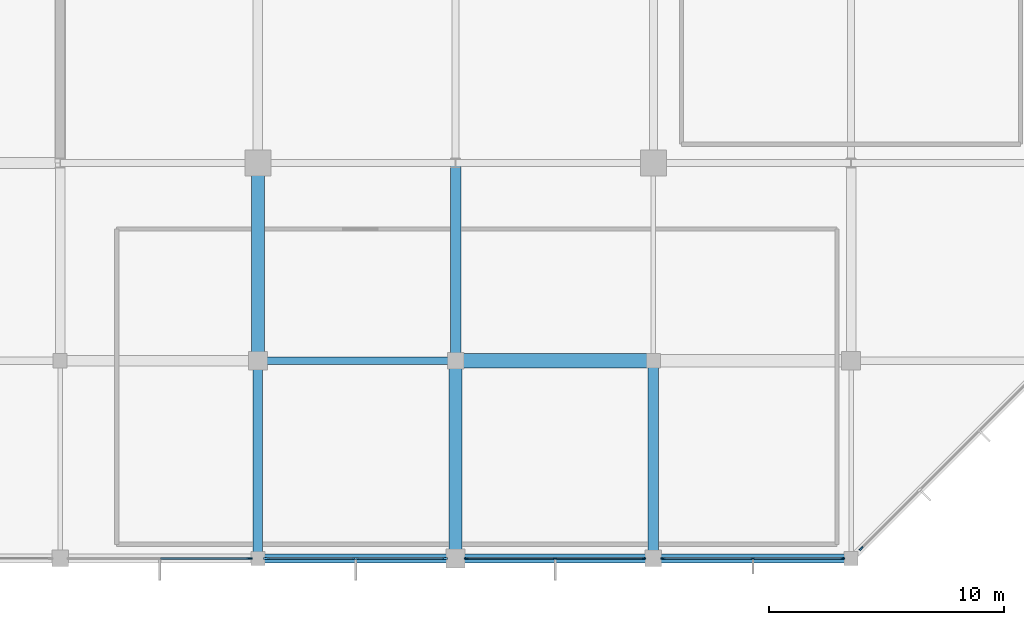
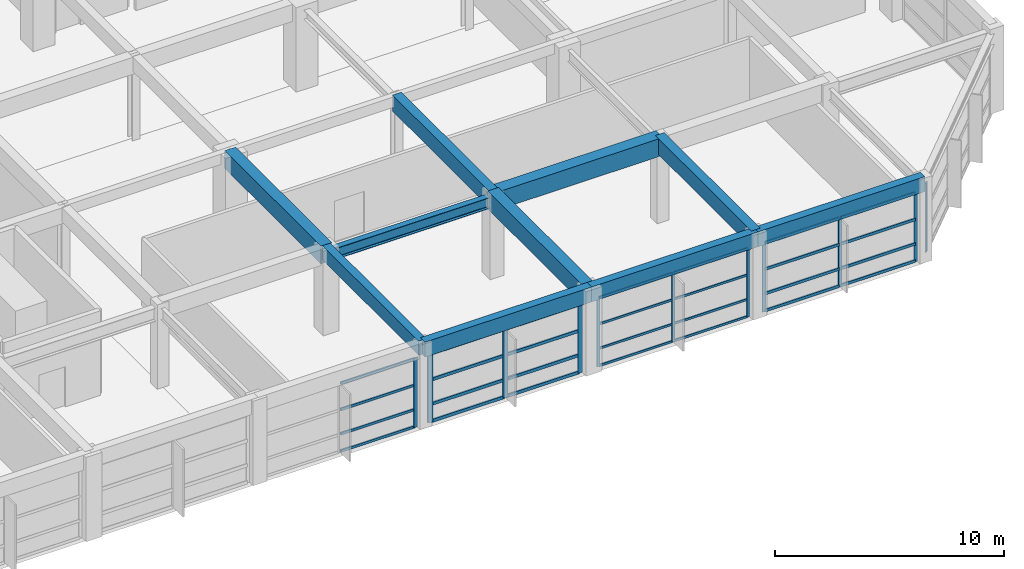
# One storey, part 27 of 56: 39 members, 10 beams, 5 elements without a shape of their own.
"""IFC4 building model written with IfcOpenShell, lengths in metres."""

from ifc_helpers import new_model, si_unit, direction, frame, origin, origin_2d, place, context, subcontext, project, spatial, rectangle, i_section, extrude, material, material_profile, profile_set, type_object, element, aggregate, save


model = new_model("IFC4")

# Units and contexts
model_context = context("Model", 3, precision=1e-05, world=origin(), true_north=direction((0.0, 1.0)))
body_context = subcontext(model_context, "Body", "Model", "MODEL_VIEW")
ifc_project = project(units=[si_unit("LENGTHUNIT", "METRE"), si_unit("AREAUNIT", "SQUARE_METRE"), si_unit("VOLUMEUNIT", "CUBIC_METRE"), si_unit("PLANEANGLEUNIT", "RADIAN"), si_unit("MASSUNIT", "GRAM", prefix="KILO")], contexts=[model_context])

# Site, building, storey
site_placement = place(None, origin())
site = spatial("IfcSite", under=ifc_project, at=site_placement, CompositionType="ELEMENT")
building_placement = place(site_placement, origin())
building = spatial("IfcBuilding", under=site, at=building_placement, Name="Xuanlan Plaza Opera House", CompositionType="ELEMENT")
storey_placement = place(building_placement, frame((0.0, 0.0, 18.89990234375)))
storey = spatial("IfcBuildingStorey", under=building, at=storey_placement, Name="L04", CompositionType="ELEMENT", Elevation=18.89990234375)

# Curtain wall, members
ifc_material_1 = material(Name="Anodised Aluminium 6063-T6 and Low-E Glass", Category="aluminium")
curtain_wall_type_1 = type_object("IfcCurtainWallType", Name="ENV-CW-CW-01", PredefinedType="USERDEFINED", material=ifc_material_1)
curtain_wall_1_placement = place(storey_placement, origin())
curtain_wall_1 = element("IfcCurtainWall", 1, at=curtain_wall_1_placement, inside=storey, type_object=curtain_wall_type_1, Name="Unitised Curtain Wall L04-015", ObjectType="UNITISED CURTAIN WALL", PredefinedType="USERDEFINED")
ifc_material_2 = material(Name="Anodised Aluminium 6063-T6", Category="aluminium")
ifc_material_profile_1 = material_profile(ifc_material_2, rectangle(XDim=0.06494140625, YDim=0.159912109375, at=origin_2d()), Name="ALU-M 65x160")
ifc_profile_set_1 = profile_set([ifc_material_profile_1], Name="Anodised Aluminium 6063-T6")
member_type_1 = type_object("IfcMemberType", Name="ENV-CWM-01", PredefinedType="MULLION", material=ifc_profile_set_1)
member_1_placement = place(storey_placement, frame((143.25244140625, 16.800048828125, 0.0), z_axis=(0.0, 0.0, 1.0), x_axis=(0.0, 1.0, 0.0)))
member_1 = element("IfcMember", 2, at=member_1_placement, type_object=member_type_1, Name="CW-01 mullion 1", PredefinedType="MULLION", context=body_context, shape_type="SweptSolid", body=[
    extrude(rectangle(XDim=0.06494140625, YDim=0.159912109375, at=origin_2d()), origin(), (0.0, 0.0, 1.0), 3.68017578125),
])
member_2_placement = place(storey_placement, frame((147.02490234375, 16.800048828125, 0.0), z_axis=(0.0, 0.0, 1.0), x_axis=(0.0, 1.0, 0.0)))
member_2 = element("IfcMember", 3, at=member_2_placement, type_object=member_type_1, Name="CW-01 mullion 2", PredefinedType="MULLION", context=body_context, shape_type="SweptSolid", body=[
    extrude(rectangle(XDim=0.06494140625, YDim=0.159912109375, at=origin_2d()), origin(), (0.0, 0.0, 1.0), 3.68017578125),
])
member_3_placement = place(storey_placement, frame((150.797607421875, 16.800048828125, 0.0), z_axis=(0.0, 0.0, 1.0), x_axis=(0.0, 1.0, 0.0)))
member_3 = element("IfcMember", 4, at=member_3_placement, type_object=member_type_1, Name="CW-01 mullion 3", PredefinedType="MULLION", context=body_context, shape_type="SweptSolid", body=[
    extrude(rectangle(XDim=0.06494140625, YDim=0.159912109375, at=origin_2d()), origin(), (0.0, 0.0, 1.0), 3.68017578125),
])

curtain_wall_type_2 = type_object("IfcCurtainWallType", Name="ENV-CW-CW-02", PredefinedType="USERDEFINED", material=ifc_material_1)
curtain_wall_2_placement = place(storey_placement, origin())
curtain_wall_2 = element("IfcCurtainWall", 5, at=curtain_wall_2_placement, inside=storey, type_object=curtain_wall_type_2, Name="Unitised Curtain Wall L04-016", ObjectType="UNITISED CURTAIN WALL", PredefinedType="USERDEFINED")
ifc_material_profile_2 = material_profile(ifc_material_2, rectangle(XDim=0.070068359375, YDim=0.179931640625, at=origin_2d()), Name="ALU-M 70x180")
ifc_profile_set_2 = profile_set([ifc_material_profile_2], Name="Anodised Aluminium 6063-T6")
member_type_2 = type_object("IfcMemberType", Name="ENV-CWM-02", PredefinedType="MULLION", material=ifc_profile_set_2)
member_4_placement = place(storey_placement, frame((151.60498046875, 16.800048828125, 0.0), z_axis=(0.0, 0.0, 1.0), x_axis=(0.0, 1.0, 0.0)))
member_4 = element("IfcMember", 6, at=member_4_placement, type_object=member_type_2, Name="CW-02 mullion 1", PredefinedType="MULLION", context=body_context, shape_type="SweptSolid", body=[
    extrude(rectangle(XDim=0.070068359375, YDim=0.179931640625, at=origin_2d()), origin(), (0.0, 0.0, 1.0), 3.68017578125),
])
member_5_placement = place(storey_placement, frame((155.425048828125, 16.800048828125, 0.0), z_axis=(0.0, 0.0, 1.0), x_axis=(0.0, 1.0, 0.0)))
member_5 = element("IfcMember", 7, at=member_5_placement, type_object=member_type_2, Name="CW-02 mullion 2", PredefinedType="MULLION", context=body_context, shape_type="SweptSolid", body=[
    extrude(rectangle(XDim=0.070068359375, YDim=0.179931640625, at=origin_2d()), origin(), (0.0, 0.0, 1.0), 3.68017578125),
])
member_6_placement = place(storey_placement, frame((159.2451171875, 16.800048828125, 0.0), z_axis=(0.0, 0.0, 1.0), x_axis=(0.0, 1.0, 0.0)))
member_6 = element("IfcMember", 8, at=member_6_placement, type_object=member_type_2, Name="CW-02 mullion 3", PredefinedType="MULLION", context=body_context, shape_type="SweptSolid", body=[
    extrude(rectangle(XDim=0.070068359375, YDim=0.179931640625, at=origin_2d()), origin(), (0.0, 0.0, 1.0), 3.68017578125),
])

# Curtain wall, member
curtain_wall_type_3 = type_object("IfcCurtainWallType", Name="ENV-CW-CW-03", PredefinedType="USERDEFINED", material=ifc_material_1)
curtain_wall_3_placement = place(storey_placement, origin())
curtain_wall_3 = element("IfcCurtainWall", 9, at=curtain_wall_3_placement, inside=storey, type_object=curtain_wall_type_3, Name="Unitised Curtain Wall L04-017", ObjectType="UNITISED CURTAIN WALL", PredefinedType="USERDEFINED")
ifc_material_profile_3 = material_profile(ifc_material_2, rectangle(XDim=0.074951171875, YDim=0.199951171875, at=origin_2d()), Name="ALU-M 75x200")
ifc_profile_set_3 = profile_set([ifc_material_profile_3], Name="Anodised Aluminium 6063-T6")
member_type_3 = type_object("IfcMemberType", Name="ENV-CWM-03", PredefinedType="MULLION", material=ifc_profile_set_3)
member_7_placement = place(storey_placement, frame((160.025634765625, 17.2255859375, 0.0), z_axis=(0.0, 0.0, 1.0), x_axis=(-0.707106781187, 0.707106781187, 0.0)))
member_7 = element("IfcMember", 10, at=member_7_placement, type_object=member_type_3, Name="CW-03 mullion 1", PredefinedType="MULLION", context=body_context, shape_type="SweptSolid", body=[
    extrude(rectangle(XDim=0.074951171875, YDim=0.199951171875, at=origin_2d()), origin(), (0.0, 0.0, 1.0), 3.68017578125),
])
aggregate(curtain_wall_3, [member_7])

curtain_wall_type_4 = type_object("IfcCurtainWallType", Name="ENV-CW-CW-06", PredefinedType="USERDEFINED", material=ifc_material_1)
curtain_wall_4_placement = place(storey_placement, origin())
curtain_wall_4 = element("IfcCurtainWall", 11, at=curtain_wall_4_placement, inside=storey, type_object=curtain_wall_type_4, Name="Acoustic Glazed Wall L04-013", ObjectType="ACOUSTIC GLAZED WALL", PredefinedType="USERDEFINED")
ifc_material_profile_4 = material_profile(ifc_material_2, rectangle(XDim=0.080078125, YDim=0.219970703125, at=origin_2d()), Name="ALU-M 80x220")
ifc_profile_set_4 = profile_set([ifc_material_profile_4], Name="Anodised Aluminium 6063-T6")
member_type_4 = type_object("IfcMemberType", Name="ENV-CWM-04", PredefinedType="MULLION", material=ifc_profile_set_4)
member_8_placement = place(storey_placement, frame((134.0400390625, 16.800048828125, 0.0), z_axis=(0.0, 0.0, 1.0), x_axis=(0.0, 1.0, 0.0)))
member_8 = element("IfcMember", 12, at=member_8_placement, type_object=member_type_4, Name="CW-06 mullion 3", PredefinedType="MULLION", context=body_context, shape_type="SweptSolid", body=[
    extrude(rectangle(XDim=0.080078125, YDim=0.219970703125, at=origin_2d()), origin(), (0.0, 0.0, 1.0), 3.68017578125),
])

# Curtain wall, members
curtain_wall_type_5 = type_object("IfcCurtainWallType", Name="ENV-CW-CW-04", PredefinedType="USERDEFINED", material=ifc_material_1)
curtain_wall_5_placement = place(storey_placement, origin())
curtain_wall_5 = element("IfcCurtainWall", 13, at=curtain_wall_5_placement, inside=storey, type_object=curtain_wall_type_5, Name="Unitised Curtain Wall L04-014", ObjectType="UNITISED CURTAIN WALL", PredefinedType="USERDEFINED")
ifc_material_profile_5 = material_profile(ifc_material_2, rectangle(XDim=0.090087890625, YDim=0.25, at=origin_2d()), Name="ALU-M 90x250")
ifc_profile_set_5 = profile_set([ifc_material_profile_5], Name="Anodised Aluminium 6063-T6")
member_type_5 = type_object("IfcMemberType", Name="ENV-CWM-05", PredefinedType="MULLION", material=ifc_profile_set_5)
member_9_placement = place(storey_placement, frame((134.764892578125, 16.800048828125, 0.0), z_axis=(0.0, 0.0, 1.0), x_axis=(0.0, 1.0, 0.0)))
member_9 = element("IfcMember", 14, at=member_9_placement, type_object=member_type_5, Name="CW-04 mullion 1", PredefinedType="MULLION", context=body_context, shape_type="SweptSolid", body=[
    extrude(rectangle(XDim=0.090087890625, YDim=0.25, at=origin_2d()), origin(), (0.0, 0.0, 1.0), 3.68017578125),
])
member_10_placement = place(storey_placement, frame((138.550048828125, 16.800048828125, 0.0), z_axis=(0.0, 0.0, 1.0), x_axis=(0.0, 1.0, 0.0)))
member_10 = element("IfcMember", 15, at=member_10_placement, type_object=member_type_5, Name="CW-04 mullion 2", PredefinedType="MULLION", context=body_context, shape_type="SweptSolid", body=[
    extrude(rectangle(XDim=0.090087890625, YDim=0.25, at=origin_2d()), origin(), (0.0, 0.0, 1.0), 3.68017578125),
])
member_11_placement = place(storey_placement, frame((142.3349609375, 16.800048828125, 0.0), z_axis=(0.0, 0.0, 1.0), x_axis=(0.0, 1.0, 0.0)))
member_11 = element("IfcMember", 16, at=member_11_placement, type_object=member_type_5, Name="CW-04 mullion 3", PredefinedType="MULLION", context=body_context, shape_type="SweptSolid", body=[
    extrude(rectangle(XDim=0.090087890625, YDim=0.25, at=origin_2d()), origin(), (0.0, 0.0, 1.0), 3.68017578125),
])

# Member
ifc_material_profile_6 = material_profile(ifc_material_2, rectangle(XDim=0.06494140625, YDim=0.1201171875, at=origin_2d()), Name="ALU-T 65x120")
ifc_profile_set_6 = profile_set([ifc_material_profile_6], Name="Anodised Aluminium 6063-T6")
member_type_6 = type_object("IfcMemberType", Name="ENV-CWT-01", PredefinedType="USERDEFINED", material=ifc_profile_set_6)
member_12_placement = place(storey_placement, frame((143.284912109375, 16.800048828125, 0.03271484375), z_axis=(1.0, 0.0, 0.0), x_axis=(0.0, 1.0, 0.0)))
member_12 = element("IfcMember", 17, at=member_12_placement, type_object=member_type_6, Name="CW-01 transom 1.1", ObjectType="TRANSOM", PredefinedType="USERDEFINED", context=body_context, shape_type="SweptSolid", body=[
    extrude(rectangle(XDim=0.06494140625, YDim=0.1201171875, at=origin_2d()), origin(), (0.0, 0.0, 1.0), 3.70751953125),
])

member_13_placement = place(storey_placement, frame((143.284912109375, 16.800048828125, 0.9501953125), z_axis=(1.0, 0.0, 0.0), x_axis=(0.0, 1.0, 0.0)))
member_13 = element("IfcMember", 18, at=member_13_placement, type_object=member_type_6, Name="CW-01 transom 1.2", ObjectType="TRANSOM", PredefinedType="USERDEFINED", context=body_context, shape_type="SweptSolid", body=[
    extrude(rectangle(XDim=0.06494140625, YDim=0.1201171875, at=origin_2d()), origin(), (0.0, 0.0, 1.0), 3.70751953125),
])

member_14_placement = place(storey_placement, frame((143.284912109375, 16.800048828125, 2.25), z_axis=(1.0, 0.0, 0.0), x_axis=(0.0, 1.0, 0.0)))
member_14 = element("IfcMember", 19, at=member_14_placement, type_object=member_type_6, Name="CW-01 transom 1.3", ObjectType="TRANSOM", PredefinedType="USERDEFINED", context=body_context, shape_type="SweptSolid", body=[
    extrude(rectangle(XDim=0.06494140625, YDim=0.1201171875, at=origin_2d()), origin(), (0.0, 0.0, 1.0), 3.70751953125),
])

member_15_placement = place(storey_placement, frame((143.284912109375, 16.800048828125, 3.647705078125), z_axis=(1.0, 0.0, 0.0), x_axis=(0.0, 1.0, 0.0)))
member_15 = element("IfcMember", 20, at=member_15_placement, type_object=member_type_6, Name="CW-01 transom 1.4", ObjectType="TRANSOM", PredefinedType="USERDEFINED", context=body_context, shape_type="SweptSolid", body=[
    extrude(rectangle(XDim=0.06494140625, YDim=0.1201171875, at=origin_2d()), origin(), (0.0, 0.0, 1.0), 3.70751953125),
])

member_16_placement = place(storey_placement, frame((147.0576171875, 16.800048828125, 0.03271484375), z_axis=(1.0, 0.0, 0.0), x_axis=(0.0, 1.0, 0.0)))
member_16 = element("IfcMember", 21, at=member_16_placement, type_object=member_type_6, Name="CW-01 transom 2.1", ObjectType="TRANSOM", PredefinedType="USERDEFINED", context=body_context, shape_type="SweptSolid", body=[
    extrude(rectangle(XDim=0.06494140625, YDim=0.1201171875, at=origin_2d()), origin(), (0.0, 0.0, 1.0), 3.707275390625),
])

member_17_placement = place(storey_placement, frame((147.0576171875, 16.800048828125, 0.9501953125), z_axis=(1.0, 0.0, 0.0), x_axis=(0.0, 1.0, 0.0)))
member_17 = element("IfcMember", 22, at=member_17_placement, type_object=member_type_6, Name="CW-01 transom 2.2", ObjectType="TRANSOM", PredefinedType="USERDEFINED", context=body_context, shape_type="SweptSolid", body=[
    extrude(rectangle(XDim=0.06494140625, YDim=0.1201171875, at=origin_2d()), origin(), (0.0, 0.0, 1.0), 3.707275390625),
])

member_18_placement = place(storey_placement, frame((147.0576171875, 16.800048828125, 2.25), z_axis=(1.0, 0.0, 0.0), x_axis=(0.0, 1.0, 0.0)))
member_18 = element("IfcMember", 23, at=member_18_placement, type_object=member_type_6, Name="CW-01 transom 2.3", ObjectType="TRANSOM", PredefinedType="USERDEFINED", context=body_context, shape_type="SweptSolid", body=[
    extrude(rectangle(XDim=0.06494140625, YDim=0.1201171875, at=origin_2d()), origin(), (0.0, 0.0, 1.0), 3.707275390625),
])

member_19_placement = place(storey_placement, frame((147.0576171875, 16.800048828125, 3.647705078125), z_axis=(1.0, 0.0, 0.0), x_axis=(0.0, 1.0, 0.0)))
member_19 = element("IfcMember", 24, at=member_19_placement, type_object=member_type_6, Name="CW-01 transom 2.4", ObjectType="TRANSOM", PredefinedType="USERDEFINED", context=body_context, shape_type="SweptSolid", body=[
    extrude(rectangle(XDim=0.06494140625, YDim=0.1201171875, at=origin_2d()), origin(), (0.0, 0.0, 1.0), 3.707275390625),
])

aggregate(curtain_wall_1, [member_1, member_2, member_3, member_12, member_13, member_14, member_15, member_16, member_17, member_18, member_19])

ifc_material_profile_7 = material_profile(ifc_material_2, rectangle(XDim=0.070068359375, YDim=0.135009765625, at=origin_2d()), Name="ALU-T 70x135")
ifc_profile_set_7 = profile_set([ifc_material_profile_7], Name="Anodised Aluminium 6063-T6")
member_type_7 = type_object("IfcMemberType", Name="ENV-CWT-02", PredefinedType="USERDEFINED", material=ifc_profile_set_7)
member_20_placement = place(storey_placement, frame((130.264892578125, 16.800048828125, 0.03515625), z_axis=(1.0, 0.0, 0.0), x_axis=(0.0, 1.0, 0.0)))
member_20 = element("IfcMember", 25, at=member_20_placement, type_object=member_type_7, Name="CW-06 transom 2.1", ObjectType="TRANSOM", PredefinedType="USERDEFINED", context=body_context, shape_type="SweptSolid", body=[
    extrude(rectangle(XDim=0.070068359375, YDim=0.135009765625, at=origin_2d()), origin(), (0.0, 0.0, 1.0), 3.735107421875),
])

member_21_placement = place(storey_placement, frame((130.264892578125, 16.800048828125, 0.9501953125), z_axis=(1.0, 0.0, 0.0), x_axis=(0.0, 1.0, 0.0)))
member_21 = element("IfcMember", 26, at=member_21_placement, type_object=member_type_7, Name="CW-06 transom 2.2", ObjectType="TRANSOM", PredefinedType="USERDEFINED", context=body_context, shape_type="SweptSolid", body=[
    extrude(rectangle(XDim=0.070068359375, YDim=0.135009765625, at=origin_2d()), origin(), (0.0, 0.0, 1.0), 3.735107421875),
])

member_22_placement = place(storey_placement, frame((130.264892578125, 16.800048828125, 2.25), z_axis=(1.0, 0.0, 0.0), x_axis=(0.0, 1.0, 0.0)))
member_22 = element("IfcMember", 27, at=member_22_placement, type_object=member_type_7, Name="CW-06 transom 2.3", ObjectType="TRANSOM", PredefinedType="USERDEFINED", context=body_context, shape_type="SweptSolid", body=[
    extrude(rectangle(XDim=0.070068359375, YDim=0.135009765625, at=origin_2d()), origin(), (0.0, 0.0, 1.0), 3.735107421875),
])

member_23_placement = place(storey_placement, frame((130.264892578125, 16.800048828125, 3.64501953125), z_axis=(1.0, 0.0, 0.0), x_axis=(0.0, 1.0, 0.0)))
member_23 = element("IfcMember", 28, at=member_23_placement, type_object=member_type_7, Name="CW-06 transom 2.4", ObjectType="TRANSOM", PredefinedType="USERDEFINED", context=body_context, shape_type="SweptSolid", body=[
    extrude(rectangle(XDim=0.070068359375, YDim=0.135009765625, at=origin_2d()), origin(), (0.0, 0.0, 1.0), 3.735107421875),
])

aggregate(curtain_wall_4, [member_8, member_20, member_21, member_22, member_23])

ifc_material_profile_8 = material_profile(ifc_material_2, rectangle(XDim=0.074951171875, YDim=0.14990234375, at=origin_2d()), Name="ALU-T 75x150")
ifc_profile_set_8 = profile_set([ifc_material_profile_8], Name="Anodised Aluminium 6063-T6")
member_type_8 = type_object("IfcMemberType", Name="ENV-CWT-03", PredefinedType="USERDEFINED", material=ifc_profile_set_8)
member_24_placement = place(storey_placement, frame((151.639892578125, 16.800048828125, 0.03759765625), z_axis=(1.0, 0.0, 0.0), x_axis=(0.0, 1.0, 0.0)))
member_24 = element("IfcMember", 29, at=member_24_placement, type_object=member_type_8, Name="CW-02 transom 1.1", ObjectType="TRANSOM", PredefinedType="USERDEFINED", context=body_context, shape_type="SweptSolid", body=[
    extrude(rectangle(XDim=0.074951171875, YDim=0.14990234375, at=origin_2d()), origin(), (0.0, 0.0, 1.0), 3.75),
])

member_25_placement = place(storey_placement, frame((151.639892578125, 16.800048828125, 0.9501953125), z_axis=(1.0, 0.0, 0.0), x_axis=(0.0, 1.0, 0.0)))
member_25 = element("IfcMember", 30, at=member_25_placement, type_object=member_type_8, Name="CW-02 transom 1.2", ObjectType="TRANSOM", PredefinedType="USERDEFINED", context=body_context, shape_type="SweptSolid", body=[
    extrude(rectangle(XDim=0.074951171875, YDim=0.14990234375, at=origin_2d()), origin(), (0.0, 0.0, 1.0), 3.75),
])

member_26_placement = place(storey_placement, frame((151.639892578125, 16.800048828125, 2.25), z_axis=(1.0, 0.0, 0.0), x_axis=(0.0, 1.0, 0.0)))
member_26 = element("IfcMember", 31, at=member_26_placement, type_object=member_type_8, Name="CW-02 transom 1.3", ObjectType="TRANSOM", PredefinedType="USERDEFINED", context=body_context, shape_type="SweptSolid", body=[
    extrude(rectangle(XDim=0.074951171875, YDim=0.14990234375, at=origin_2d()), origin(), (0.0, 0.0, 1.0), 3.75),
])

member_27_placement = place(storey_placement, frame((151.639892578125, 16.800048828125, 3.642578125), z_axis=(1.0, 0.0, 0.0), x_axis=(0.0, 1.0, 0.0)))
member_27 = element("IfcMember", 32, at=member_27_placement, type_object=member_type_8, Name="CW-02 transom 1.4", ObjectType="TRANSOM", PredefinedType="USERDEFINED", context=body_context, shape_type="SweptSolid", body=[
    extrude(rectangle(XDim=0.074951171875, YDim=0.14990234375, at=origin_2d()), origin(), (0.0, 0.0, 1.0), 3.75),
])

member_28_placement = place(storey_placement, frame((155.4599609375, 16.800048828125, 0.03759765625), z_axis=(1.0, 0.0, 0.0), x_axis=(0.0, 1.0, 0.0)))
member_28 = element("IfcMember", 33, at=member_28_placement, type_object=member_type_8, Name="CW-02 transom 2.1", ObjectType="TRANSOM", PredefinedType="USERDEFINED", context=body_context, shape_type="SweptSolid", body=[
    extrude(rectangle(XDim=0.074951171875, YDim=0.14990234375, at=origin_2d()), origin(), (0.0, 0.0, 1.0), 3.75),
])

member_29_placement = place(storey_placement, frame((155.4599609375, 16.800048828125, 0.9501953125), z_axis=(1.0, 0.0, 0.0), x_axis=(0.0, 1.0, 0.0)))
member_29 = element("IfcMember", 34, at=member_29_placement, type_object=member_type_8, Name="CW-02 transom 2.2", ObjectType="TRANSOM", PredefinedType="USERDEFINED", context=body_context, shape_type="SweptSolid", body=[
    extrude(rectangle(XDim=0.074951171875, YDim=0.14990234375, at=origin_2d()), origin(), (0.0, 0.0, 1.0), 3.75),
])

member_30_placement = place(storey_placement, frame((155.4599609375, 16.800048828125, 2.25), z_axis=(1.0, 0.0, 0.0), x_axis=(0.0, 1.0, 0.0)))
member_30 = element("IfcMember", 35, at=member_30_placement, type_object=member_type_8, Name="CW-02 transom 2.3", ObjectType="TRANSOM", PredefinedType="USERDEFINED", context=body_context, shape_type="SweptSolid", body=[
    extrude(rectangle(XDim=0.074951171875, YDim=0.14990234375, at=origin_2d()), origin(), (0.0, 0.0, 1.0), 3.75),
])

member_31_placement = place(storey_placement, frame((155.4599609375, 16.800048828125, 3.642578125), z_axis=(1.0, 0.0, 0.0), x_axis=(0.0, 1.0, 0.0)))
member_31 = element("IfcMember", 36, at=member_31_placement, type_object=member_type_8, Name="CW-02 transom 2.4", ObjectType="TRANSOM", PredefinedType="USERDEFINED", context=body_context, shape_type="SweptSolid", body=[
    extrude(rectangle(XDim=0.074951171875, YDim=0.14990234375, at=origin_2d()), origin(), (0.0, 0.0, 1.0), 3.75),
])

aggregate(curtain_wall_2, [member_4, member_5, member_6, member_24, member_25, member_26, member_27, member_28, member_29, member_30, member_31])

ifc_material_profile_9 = material_profile(ifc_material_2, rectangle(XDim=0.080078125, YDim=0.1650390625, at=origin_2d()), Name="ALU-T 80x165")
ifc_profile_set_9 = profile_set([ifc_material_profile_9], Name="Anodised Aluminium 6063-T6")
member_type_9 = type_object("IfcMemberType", Name="ENV-CWT-04", PredefinedType="USERDEFINED", material=ifc_profile_set_9)
member_32_placement = place(storey_placement, frame((134.81005859375, 16.800048828125, 0.0400390625), z_axis=(1.0, 0.0, 0.0), x_axis=(0.0, 1.0, 0.0)))
member_32 = element("IfcMember", 37, at=member_32_placement, type_object=member_type_9, Name="CW-04 transom 1.1", ObjectType="TRANSOM", PredefinedType="USERDEFINED", context=body_context, shape_type="SweptSolid", body=[
    extrude(rectangle(XDim=0.080078125, YDim=0.1650390625, at=origin_2d()), origin(), (0.0, 0.0, 1.0), 3.69482421875),
])

member_33_placement = place(storey_placement, frame((134.81005859375, 16.800048828125, 0.9501953125), z_axis=(1.0, 0.0, 0.0), x_axis=(0.0, 1.0, 0.0)))
member_33 = element("IfcMember", 38, at=member_33_placement, type_object=member_type_9, Name="CW-04 transom 1.2", ObjectType="TRANSOM", PredefinedType="USERDEFINED", context=body_context, shape_type="SweptSolid", body=[
    extrude(rectangle(XDim=0.080078125, YDim=0.1650390625, at=origin_2d()), origin(), (0.0, 0.0, 1.0), 3.69482421875),
])

member_34_placement = place(storey_placement, frame((134.81005859375, 16.800048828125, 2.25), z_axis=(1.0, 0.0, 0.0), x_axis=(0.0, 1.0, 0.0)))
member_34 = element("IfcMember", 39, at=member_34_placement, type_object=member_type_9, Name="CW-04 transom 1.3", ObjectType="TRANSOM", PredefinedType="USERDEFINED", context=body_context, shape_type="SweptSolid", body=[
    extrude(rectangle(XDim=0.080078125, YDim=0.1650390625, at=origin_2d()), origin(), (0.0, 0.0, 1.0), 3.69482421875),
])

member_35_placement = place(storey_placement, frame((134.81005859375, 16.800048828125, 3.64013671875), z_axis=(1.0, 0.0, 0.0), x_axis=(0.0, 1.0, 0.0)))
member_35 = element("IfcMember", 40, at=member_35_placement, type_object=member_type_9, Name="CW-04 transom 1.4", ObjectType="TRANSOM", PredefinedType="USERDEFINED", context=body_context, shape_type="SweptSolid", body=[
    extrude(rectangle(XDim=0.080078125, YDim=0.1650390625, at=origin_2d()), origin(), (0.0, 0.0, 1.0), 3.69482421875),
])

member_36_placement = place(storey_placement, frame((138.594970703125, 16.800048828125, 0.0400390625), z_axis=(1.0, 0.0, 0.0), x_axis=(0.0, 1.0, 0.0)))
member_36 = element("IfcMember", 41, at=member_36_placement, type_object=member_type_9, Name="CW-04 transom 2.1", ObjectType="TRANSOM", PredefinedType="USERDEFINED", context=body_context, shape_type="SweptSolid", body=[
    extrude(rectangle(XDim=0.080078125, YDim=0.1650390625, at=origin_2d()), origin(), (0.0, 0.0, 1.0), 3.695068359375),
])

member_37_placement = place(storey_placement, frame((138.594970703125, 16.800048828125, 0.9501953125), z_axis=(1.0, 0.0, 0.0), x_axis=(0.0, 1.0, 0.0)))
member_37 = element("IfcMember", 42, at=member_37_placement, type_object=member_type_9, Name="CW-04 transom 2.2", ObjectType="TRANSOM", PredefinedType="USERDEFINED", context=body_context, shape_type="SweptSolid", body=[
    extrude(rectangle(XDim=0.080078125, YDim=0.1650390625, at=origin_2d()), origin(), (0.0, 0.0, 1.0), 3.695068359375),
])

member_38_placement = place(storey_placement, frame((138.594970703125, 16.800048828125, 2.25), z_axis=(1.0, 0.0, 0.0), x_axis=(0.0, 1.0, 0.0)))
member_38 = element("IfcMember", 43, at=member_38_placement, type_object=member_type_9, Name="CW-04 transom 2.3", ObjectType="TRANSOM", PredefinedType="USERDEFINED", context=body_context, shape_type="SweptSolid", body=[
    extrude(rectangle(XDim=0.080078125, YDim=0.1650390625, at=origin_2d()), origin(), (0.0, 0.0, 1.0), 3.695068359375),
])

member_39_placement = place(storey_placement, frame((138.594970703125, 16.800048828125, 3.64013671875), z_axis=(1.0, 0.0, 0.0), x_axis=(0.0, 1.0, 0.0)))
member_39 = element("IfcMember", 44, at=member_39_placement, type_object=member_type_9, Name="CW-04 transom 2.4", ObjectType="TRANSOM", PredefinedType="USERDEFINED", context=body_context, shape_type="SweptSolid", body=[
    extrude(rectangle(XDim=0.080078125, YDim=0.1650390625, at=origin_2d()), origin(), (0.0, 0.0, 1.0), 3.695068359375),
])

aggregate(curtain_wall_5, [member_9, member_10, member_11, member_32, member_33, member_34, member_35, member_36, member_37, member_38, member_39])

# Beams
ifc_material_3 = material(Name="Concrete C50", Category="concrete")
ifc_material_profile_10 = material_profile(ifc_material_3, rectangle(XDim=0.60009765625, YDim=0.949951171875, at=origin_2d()), Name="RC-BM 600x950")
ifc_profile_set_10 = profile_set([ifc_material_profile_10], Name="Concrete C50")
beam_type_1 = type_object("IfcBeamType", Name="STR-BM-B-01", PredefinedType="BEAM", material=ifc_profile_set_10)
beam_1_placement = place(storey_placement, frame((142.800048828125, 25.199951171875, 4.025146484375), z_axis=(1.0, 0.0, 0.0), x_axis=(0.0, 1.0, 0.0)))
element("IfcBeam", 45, at=beam_1_placement, inside=storey, type_object=beam_type_1, Name="Grid Beam X L04 18-19/D", PredefinedType="BEAM", context=body_context, shape_type="SweptSolid", body=[
    extrude(rectangle(XDim=0.60009765625, YDim=0.949951171875, at=origin_2d()), origin(), (0.0, 0.0, 1.0), 8.39990234375),
])
ifc_material_profile_11 = material_profile(ifc_material_3, rectangle(XDim=0.550048828125, YDim=0.949951171875, at=origin_2d()), Name="RC-BM 550x950")
ifc_profile_set_11 = profile_set([ifc_material_profile_11], Name="Concrete C50")
beam_type_2 = type_object("IfcBeamType", Name="STR-BM-B-02", PredefinedType="BEAM", material=ifc_profile_set_11)
beam_2_placement = place(storey_placement, frame((134.39990234375, 25.199951171875, 4.025146484375), z_axis=(0.0, 1.0, 0.0), x_axis=(-1.0, 0.0, 0.0)))
element("IfcBeam", 46, at=beam_2_placement, inside=storey, type_object=beam_type_2, Name="Grid Beam Y L04 17/D-E", PredefinedType="BEAM", context=body_context, shape_type="SweptSolid", body=[
    extrude(rectangle(XDim=0.550048828125, YDim=0.949951171875, at=origin_2d()), origin(), (0.0, 0.0, 1.0), 8.400146484375),
])
beam_3_placement = place(storey_placement, frame((142.800048828125, 16.800048828125, 4.025146484375), z_axis=(0.0, 1.0, 0.0), x_axis=(-1.0, 0.0, 0.0)))
element("IfcBeam", 47, at=beam_3_placement, inside=storey, type_object=beam_type_2, Name="Grid Beam Y L04 18/C-D", PredefinedType="BEAM", context=body_context, shape_type="SweptSolid", body=[
    extrude(rectangle(XDim=0.550048828125, YDim=0.949951171875, at=origin_2d()), origin(), (0.0, 0.0, 1.0), 8.39990234375),
])
ifc_material_4 = material(Name="Concrete C40", Category="concrete")
ifc_material_profile_12 = material_profile(ifc_material_4, rectangle(XDim=0.449951171875, YDim=0.85009765625, at=origin_2d()), Name="RC-BM 450x850")
ifc_profile_set_12 = profile_set([ifc_material_profile_12], Name="Concrete C40")
beam_type_3 = type_object("IfcBeamType", Name="STR-BM-B-04", PredefinedType="BEAM", material=ifc_profile_set_12)
beam_4_placement = place(storey_placement, frame((142.800048828125, 25.199951171875, 4.0751953125), z_axis=(0.0, 1.0, 0.0), x_axis=(-1.0, 0.0, 0.0)))
element("IfcBeam", 48, at=beam_4_placement, inside=storey, type_object=beam_type_3, Name="Grid Beam Y L04 18/D-E", PredefinedType="BEAM", context=body_context, shape_type="SweptSolid", body=[
    extrude(rectangle(XDim=0.449951171875, YDim=0.85009765625, at=origin_2d()), origin(), (0.0, 0.0, 1.0), 8.400146484375),
])
beam_5_placement = place(storey_placement, frame((151.199951171875, 16.800048828125, 4.0751953125), z_axis=(0.0, 1.0, 0.0), x_axis=(-1.0, 0.0, 0.0)))
element("IfcBeam", 49, at=beam_5_placement, inside=storey, type_object=beam_type_3, Name="Grid Beam Y L04 19/C-D", PredefinedType="BEAM", context=body_context, shape_type="SweptSolid", body=[
    extrude(rectangle(XDim=0.449951171875, YDim=0.85009765625, at=origin_2d()), origin(), (0.0, 0.0, 1.0), 8.39990234375),
])
ifc_material_profile_13 = material_profile(ifc_material_4, rectangle(XDim=0.39990234375, YDim=0.75, at=origin_2d()), Name="RC-BM 400x750")
ifc_profile_set_13 = profile_set([ifc_material_profile_13], Name="Concrete C40")
beam_type_4 = type_object("IfcBeamType", Name="STR-BM-B-06", PredefinedType="BEAM", material=ifc_profile_set_13)
beam_6_placement = place(storey_placement, frame((134.39990234375, 16.800048828125, 4.125), z_axis=(0.0, 1.0, 0.0), x_axis=(-1.0, 0.0, 0.0)))
element("IfcBeam", 50, at=beam_6_placement, inside=storey, type_object=beam_type_4, Name="Grid Beam Y L04 17/C-D", PredefinedType="BEAM", context=body_context, shape_type="SweptSolid", body=[
    extrude(rectangle(XDim=0.39990234375, YDim=0.75, at=origin_2d()), origin(), (0.0, 0.0, 1.0), 8.39990234375),
])
ifc_material_5 = material(Name="Steel Q355B", Category="steel")
ifc_material_profile_14 = material_profile(ifc_material_5, i_section(OverallWidth=0.300048828125, OverallDepth=0.587890625, WebThickness=0.011962890625, FlangeThickness=0.02001953125, FilletRadius=0.02392578125, at=origin_2d()), Name="HM 588x300x12x20")
ifc_profile_set_14 = profile_set([ifc_material_profile_14], Name="Steel Q355B")
beam_type_5 = type_object("IfcBeamType", Name="STR-BM-SB-06", PredefinedType="BEAM", material=ifc_profile_set_14)
beam_7_placement = place(storey_placement, frame((134.39990234375, 25.199951171875, 3.941162109375), z_axis=(1.0, 0.0, 0.0), x_axis=(0.0, 1.0, 0.0)))
element("IfcBeam", 51, at=beam_7_placement, inside=storey, type_object=beam_type_5, Name="Grid Beam X L04 17-18/D", PredefinedType="BEAM", context=body_context, shape_type="SweptSolid", body=[
    extrude(i_section(OverallWidth=0.300048828125, OverallDepth=0.587890625, WebThickness=0.011962890625, FlangeThickness=0.02001953125, FilletRadius=0.02392578125, at=origin_2d()), origin(), (0.0, 0.0, 1.0), 8.400146484375),
])
ifc_material_profile_15 = material_profile(ifc_material_4, rectangle(XDim=0.39990234375, YDim=0.800048828125, at=origin_2d()), Name="RC-SPD 400x800")
ifc_profile_set_15 = profile_set([ifc_material_profile_15], Name="Concrete C40")
beam_type_6 = type_object("IfcBeamType", Name="STR-BM-SP-01", PredefinedType="SPANDREL", material=ifc_profile_set_15)
beam_8_placement = place(storey_placement, frame((134.39990234375, 16.800048828125, 4.10009765625), z_axis=(1.0, 0.0, 0.0), x_axis=(0.0, 1.0, 0.0)))
element("IfcBeam", 52, at=beam_8_placement, inside=storey, type_object=beam_type_6, Name="Grid Beam X L04 17-18/C", PredefinedType="SPANDREL", context=body_context, shape_type="SweptSolid", body=[
    extrude(rectangle(XDim=0.39990234375, YDim=0.800048828125, at=origin_2d()), origin(), (0.0, 0.0, 1.0), 8.400146484375),
])
beam_9_placement = place(storey_placement, frame((142.800048828125, 16.800048828125, 4.10009765625), z_axis=(1.0, 0.0, 0.0), x_axis=(0.0, 1.0, 0.0)))
element("IfcBeam", 53, at=beam_9_placement, inside=storey, type_object=beam_type_6, Name="Grid Beam X L04 18-19/C", PredefinedType="SPANDREL", context=body_context, shape_type="SweptSolid", body=[
    extrude(rectangle(XDim=0.39990234375, YDim=0.800048828125, at=origin_2d()), origin(), (0.0, 0.0, 1.0), 8.39990234375),
])
beam_10_placement = place(storey_placement, frame((151.199951171875, 16.800048828125, 4.10009765625), z_axis=(1.0, 0.0, 0.0), x_axis=(0.0, 1.0, 0.0)))
element("IfcBeam", 54, at=beam_10_placement, inside=storey, type_object=beam_type_6, Name="Grid Beam X L04 19-20/C", PredefinedType="SPANDREL", context=body_context, shape_type="SweptSolid", body=[
    extrude(rectangle(XDim=0.39990234375, YDim=0.800048828125, at=origin_2d()), origin(), (0.0, 0.0, 1.0), 8.400146484375),
])

save(model, "model.ifc")
